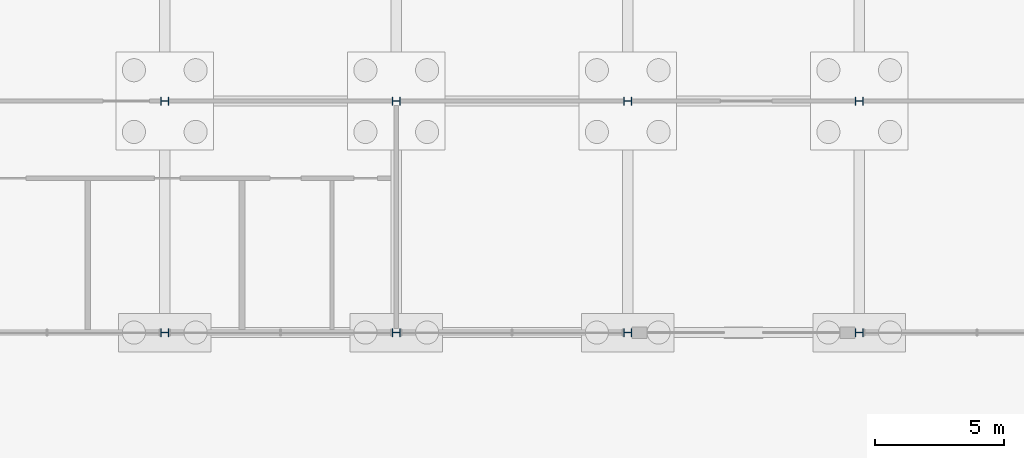
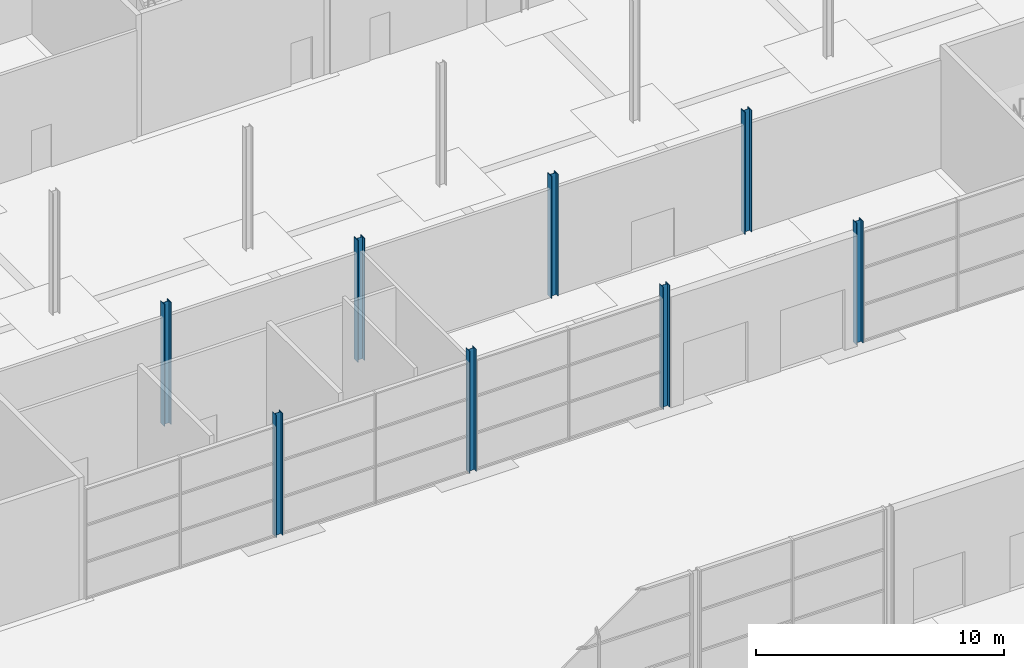
# One storey, part 9 of 97: 8 columns.
"""IFC4 building model written with IfcOpenShell, lengths in metres."""

from ifc_helpers import new_model, si_unit, direction, frame, origin, origin_2d, place, context, subcontext, project, spatial, i_section, extrude, material, material_profile, profile_set, type_object, element, save


model = new_model("IFC4")

# Units and contexts
model_context = context("Model", 3, precision=1e-05, world=origin(), true_north=direction((0.0, 1.0)))
body_context = subcontext(model_context, "Body", "Model", "MODEL_VIEW")
ifc_project = project(units=[si_unit("LENGTHUNIT", "METRE"), si_unit("AREAUNIT", "SQUARE_METRE"), si_unit("VOLUMEUNIT", "CUBIC_METRE"), si_unit("PLANEANGLEUNIT", "RADIAN"), si_unit("MASSUNIT", "GRAM", prefix="KILO")], contexts=[model_context])

# Site, building, storey
site_placement = place(None, origin())
site = spatial("IfcSite", under=ifc_project, at=site_placement, CompositionType="ELEMENT")
building_placement = place(site_placement, origin())
building = spatial("IfcBuilding", under=site, at=building_placement, Name="Corbel Yard City Hall", CompositionType="ELEMENT")
storey_placement = place(building_placement, origin())
storey = spatial("IfcBuildingStorey", under=building, at=storey_placement, Name="L00", CompositionType="ELEMENT", Elevation=0.0)

# Columns
ifc_material = material(Name="Steel Grade 300 (300 MPa yield)", Category="steel")
ifc_material_profile_1 = material_profile(ifc_material, i_section(OverallWidth=0.306884765625, OverallDepth=0.31494140625, WebThickness=0.011962890625, FlangeThickness=0.018798828125, at=origin_2d()), Name="310UC118")
ifc_profile_set_1 = profile_set([ifc_material_profile_1], Name="Steel Grade 300 (300 MPa yield)")
column_type_1 = type_object("IfcColumnType", Name="Column 310UC118", PredefinedType="COLUMN", material=ifc_profile_set_1)
for number, where, z_axis, x_axis, name in (
    (1, (18.0, 45.0, 0.0), (0.0, 0.0, 1.0), (0.0, 1.0, 0.0), "Column 310UC118 F/3 L00"),
    (2, (27.0, 45.0, 0.0), (0.0, 0.0, 1.0), (0.0, 1.0, 0.0), "Column 310UC118 F/4 L00"),
    (3, (36.0, 45.0, 0.0), (0.0, 0.0, 1.0), (0.0, 1.0, 0.0), "Column 310UC118 F/5 L00"),
    (4, (45.0, 45.0, 0.0), (0.0, 0.0, 1.0), (0.0, 1.0, 0.0), "Column 310UC118 F/6 L00"),
):
    element("IfcColumn", number, at=place(storey_placement, frame(where, z_axis=z_axis, x_axis=x_axis)), inside=storey, type_object=column_type_1, Name=name, PredefinedType="COLUMN", context=body_context, shape_type="SweptSolid", body=[
        extrude(i_section(OverallWidth=0.306884765625, OverallDepth=0.31494140625, WebThickness=0.011962890625, FlangeThickness=0.018798828125, at=origin_2d()), origin(), (0.0, 0.0, 1.0), 6.0),
    ])
ifc_material_profile_2 = material_profile(ifc_material, i_section(OverallWidth=0.31103515625, OverallDepth=0.326904296875, WebThickness=0.015625, FlangeThickness=0.02490234375, at=origin_2d()), Name="310UC158")
ifc_profile_set_2 = profile_set([ifc_material_profile_2], Name="Steel Grade 300 (300 MPa yield)")
column_type_2 = type_object("IfcColumnType", Name="Column 310UC158", PredefinedType="COLUMN", material=ifc_profile_set_2)
for number, where, z_axis, x_axis, name in (
    (5, (18.0, 54.0, 0.0), (0.0, 0.0, 1.0), (0.0, 1.0, 0.0), "Column 310UC158 G/3 L00"),
    (6, (27.0, 54.0, 0.0), (0.0, 0.0, 1.0), (0.0, 1.0, 0.0), "Column 310UC158 G/4 L00"),
    (7, (36.0, 54.0, 0.0), (0.0, 0.0, 1.0), (0.0, 1.0, 0.0), "Column 310UC158 G/5 L00"),
    (8, (45.0, 54.0, 0.0), (0.0, 0.0, 1.0), (0.0, 1.0, 0.0), "Column 310UC158 G/6 L00"),
):
    element("IfcColumn", number, at=place(storey_placement, frame(where, z_axis=z_axis, x_axis=x_axis)), inside=storey, type_object=column_type_2, Name=name, PredefinedType="COLUMN", context=body_context, shape_type="SweptSolid", body=[
        extrude(i_section(OverallWidth=0.31103515625, OverallDepth=0.326904296875, WebThickness=0.015625, FlangeThickness=0.02490234375, at=origin_2d()), origin(), (0.0, 0.0, 1.0), 6.0),
    ])

save(model, "model.ifc")
